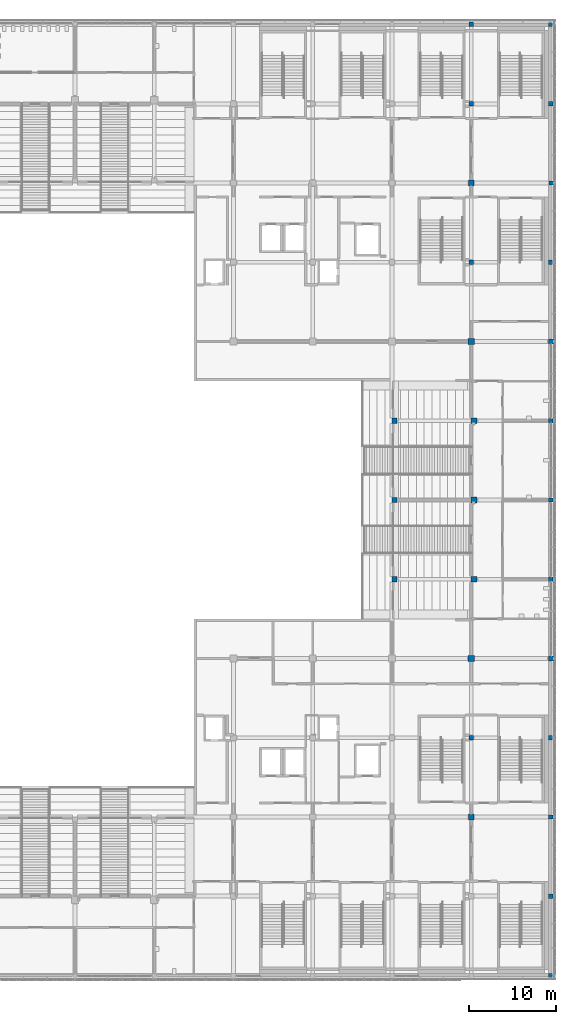
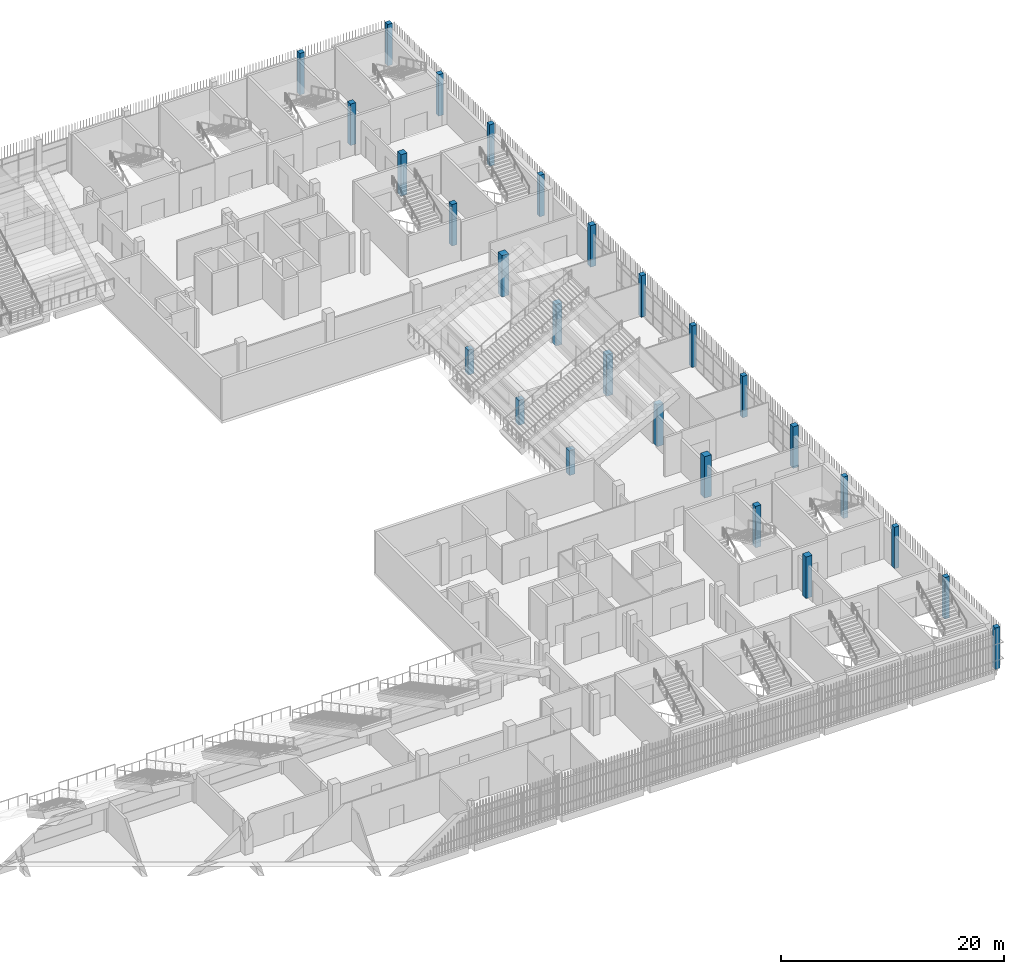
# One storey, part 2 of 139: 27 columns.
"""IFC4 building model written with IfcOpenShell, lengths in metres."""

from ifc_helpers import new_model, si_unit, direction, frame, origin, origin_2d, place, context, subcontext, project, spatial, rectangle, extrude, material, material_profile, profile_set, type_object, element, save


model = new_model("IFC4")

# Units and contexts
model_context = context("Model", 3, precision=1e-05, world=origin(), true_north=direction((0.0, 1.0)))
body_context = subcontext(model_context, "Body", "Model", "MODEL_VIEW")
ifc_project = project(units=[si_unit("LENGTHUNIT", "METRE"), si_unit("AREAUNIT", "SQUARE_METRE"), si_unit("VOLUMEUNIT", "CUBIC_METRE"), si_unit("PLANEANGLEUNIT", "RADIAN"), si_unit("MASSUNIT", "GRAM", prefix="KILO")], contexts=[model_context])

# Site, building, storey
site_placement = place(None, origin())
site = spatial("IfcSite", under=ifc_project, at=site_placement, CompositionType="ELEMENT")
building_placement = place(site_placement, origin())
building = spatial("IfcBuilding", under=site, at=building_placement, Name="Shirokan Park Arena", CompositionType="ELEMENT")
storey_placement = place(building_placement, frame((0.0, 0.0, 15.469970703125)))
storey = spatial("IfcBuildingStorey", under=building, at=storey_placement, Name="L03", CompositionType="ELEMENT", Elevation=15.469970703125)

# Columns
ifc_material = material(Name="Concrete C35", Category="concrete")
ifc_material_profile_1 = material_profile(ifc_material, rectangle(XDim=0.5, YDim=0.5, at=origin_2d()), Name="500x500")
ifc_profile_set_1 = profile_set([ifc_material_profile_1], Name="Concrete C35")
column_type_1 = type_object("IfcColumnType", Name="RC column 500x500", PredefinedType="COLUMN", material=ifc_profile_set_1)
for number, where, z_axis, x_axis, name in (
    (1, (136.5, 109.22509765625, 0.0), (0.0, 0.0, 1.0), (1.0, 0.0, 0.0), "Column 16N L03"),
    (2, (145.60009765625, 0.0, 0.0), (0.0, 0.0, 1.0), (1.0, 0.0, 0.0), "Column 17A L03"),
    (3, (145.625, 9.10009765625, 0.0), (0.0, 0.0, 1.0), (1.0, 0.0, 0.0), "Column 17B L03"),
    (4, (145.64990234375, 18.199951171875, 0.0), (0.0, 0.0, 1.0), (1.0, 0.0, 0.0), "Column 17C L03"),
    (5, (145.60009765625, 27.300048828125, 0.0), (0.0, 0.0, 1.0), (1.0, 0.0, 0.0), "Column 17D L03"),
    (6, (145.64990234375, 45.5, 0.0), (0.0, 0.0, 1.0), (1.0, 0.0, 0.0), "Column 17F L03"),
    (7, (145.64990234375, 54.60009765625, 0.0), (0.0, 0.0, 1.0), (1.0, 0.0, 0.0), "Column 17G L03"),
    (8, (145.64990234375, 63.699951171875, 0.0), (0.0, 0.0, 1.0), (1.0, 0.0, 0.0), "Column 17H L03"),
    (9, (145.60009765625, 81.89990234375, 0.0), (0.0, 0.0, 1.0), (1.0, 0.0, 0.0), "Column 17K L03"),
    (10, (145.675048828125, 91.0, 0.0), (0.0, 0.0, 1.0), (1.0, 0.0, 0.0), "Column 17L L03"),
    (11, (145.625, 100.10009765625, 0.0), (0.0, 0.0, 1.0), (1.0, 0.0, 0.0), "Column 17M L03"),
    (12, (145.60009765625, 109.199951171875, 0.0), (0.0, 0.0, 1.0), (1.0, 0.0, 0.0), "Column 17N L03"),
):
    element("IfcColumn", number, at=place(storey_placement, frame(where, z_axis=z_axis, x_axis=x_axis)), inside=storey, type_object=column_type_1, Name=name, PredefinedType="COLUMN", context=body_context, shape_type="SweptSolid", body=[
        extrude(rectangle(XDim=0.5, YDim=0.5, at=origin_2d()), origin(), (0.0, 0.0, 1.0), 4.550048828125),
    ])
ifc_material_profile_2 = material_profile(ifc_material, rectangle(XDim=0.550048828125, YDim=0.550048828125, at=origin_2d()), Name="550x550")
ifc_profile_set_2 = profile_set([ifc_material_profile_2], Name="Concrete C35")
column_type_2 = type_object("IfcColumnType", Name="RC column 550x550", PredefinedType="COLUMN", material=ifc_profile_set_2)
for number, where, z_axis, x_axis, name in (
    (13, (136.5, 27.300048828125, 0.0), (0.0, 0.0, 1.0), (1.0, 0.0, 0.0), "Column 16D L03"),
    (14, (136.5, 81.89990234375, 0.0), (0.0, 0.0, 1.0), (1.0, 0.0, 0.0), "Column 16K L03"),
    (15, (136.5, 100.10009765625, 0.0), (0.0, 0.0, 1.0), (1.0, 0.0, 0.0), "Column 16M L03"),
    (16, (145.64990234375, 36.39990234375, 0.0), (0.0, 0.0, 1.0), (1.0, 0.0, 0.0), "Column 17E L03"),
    (17, (145.64990234375, 72.800048828125, 0.0), (0.0, 0.0, 1.0), (1.0, 0.0, 0.0), "Column 17J L03"),
):
    element("IfcColumn", number, at=place(storey_placement, frame(where, z_axis=z_axis, x_axis=x_axis)), inside=storey, type_object=column_type_2, Name=name, PredefinedType="COLUMN", context=body_context, shape_type="SweptSolid", body=[
        extrude(rectangle(XDim=0.550048828125, YDim=0.550048828125, at=origin_2d()), origin(), (0.0, 0.0, 1.0), 4.550048828125),
    ])
ifc_material_profile_3 = material_profile(ifc_material, rectangle(XDim=0.60009765625, YDim=0.60009765625, at=origin_2d()), Name="600x600")
ifc_profile_set_3 = profile_set([ifc_material_profile_3], Name="Concrete C35")
column_type_3 = type_object("IfcColumnType", Name="RC column 600x600", PredefinedType="COLUMN", material=ifc_profile_set_3)
for number, where, z_axis, x_axis, name in (
    (18, (127.699951171875, 45.5, 0.0), (0.0, 0.0, 1.0), (1.0, 0.0, 0.0), "Column 15F L03"),
    (19, (127.699951171875, 54.60009765625, 0.0), (0.0, 0.0, 1.0), (1.0, 0.0, 0.0), "Column 15G L03"),
    (20, (127.699951171875, 63.699951171875, 0.0), (0.0, 0.0, 1.0), (1.0, 0.0, 0.0), "Column 15H L03"),
):
    element("IfcColumn", number, at=place(storey_placement, frame(where, z_axis=z_axis, x_axis=x_axis)), inside=storey, type_object=column_type_3, Name=name, PredefinedType="COLUMN", context=body_context, shape_type="SweptSolid", body=[
        extrude(rectangle(XDim=0.60009765625, YDim=0.60009765625, at=origin_2d()), origin(), (0.0, 0.0, 1.0), 2.7099609375),
    ])
ifc_material_profile_4 = material_profile(ifc_material, rectangle(XDim=0.64990234375, YDim=0.64990234375, at=origin_2d()), Name="650x650")
ifc_profile_set_4 = profile_set([ifc_material_profile_4], Name="Concrete C35")
column_type_4 = type_object("IfcColumnType", Name="RC column 650x650", PredefinedType="COLUMN", material=ifc_profile_set_4)
for number, where, z_axis, x_axis, name in (
    (21, (136.5, 18.199951171875, 0.0), (0.0, 0.0, 1.0), (1.0, 0.0, 0.0), "Column 16C L03"),
    (22, (136.824951171875, 45.5, 0.0), (0.0, 0.0, 1.0), (1.0, 0.0, 0.0), "Column 16F L03"),
    (23, (136.824951171875, 54.60009765625, 0.0), (0.0, 0.0, 1.0), (1.0, 0.0, 0.0), "Column 16G L03"),
    (24, (136.824951171875, 63.699951171875, 0.0), (0.0, 0.0, 1.0), (1.0, 0.0, 0.0), "Column 16H L03"),
    (25, (136.5, 91.0, 0.0), (0.0, 0.0, 1.0), (1.0, 0.0, 0.0), "Column 16L L03"),
):
    element("IfcColumn", number, at=place(storey_placement, frame(where, z_axis=z_axis, x_axis=x_axis)), inside=storey, type_object=column_type_4, Name=name, PredefinedType="COLUMN", context=body_context, shape_type="SweptSolid", body=[
        extrude(rectangle(XDim=0.64990234375, YDim=0.64990234375, at=origin_2d()), origin(), (0.0, 0.0, 1.0), 4.550048828125),
    ])
ifc_material_profile_5 = material_profile(ifc_material, rectangle(XDim=0.699951171875, YDim=0.699951171875, at=origin_2d()), Name="700x700")
ifc_profile_set_5 = profile_set([ifc_material_profile_5], Name="Concrete C35")
column_type_5 = type_object("IfcColumnType", Name="RC column 700x700", PredefinedType="COLUMN", material=ifc_profile_set_5)
for number, where, z_axis, x_axis, name in (
    (26, (136.5, 36.39990234375, 0.0), (0.0, 0.0, 1.0), (1.0, 0.0, 0.0), "Column 16E L03"),
    (27, (136.5, 72.800048828125, 0.0), (0.0, 0.0, 1.0), (1.0, 0.0, 0.0), "Column 16J L03"),
):
    element("IfcColumn", number, at=place(storey_placement, frame(where, z_axis=z_axis, x_axis=x_axis)), inside=storey, type_object=column_type_5, Name=name, PredefinedType="COLUMN", context=body_context, shape_type="SweptSolid", body=[
        extrude(rectangle(XDim=0.699951171875, YDim=0.699951171875, at=origin_2d()), origin(), (0.0, 0.0, 1.0), 4.550048828125),
    ])

save(model, "model.ifc")
